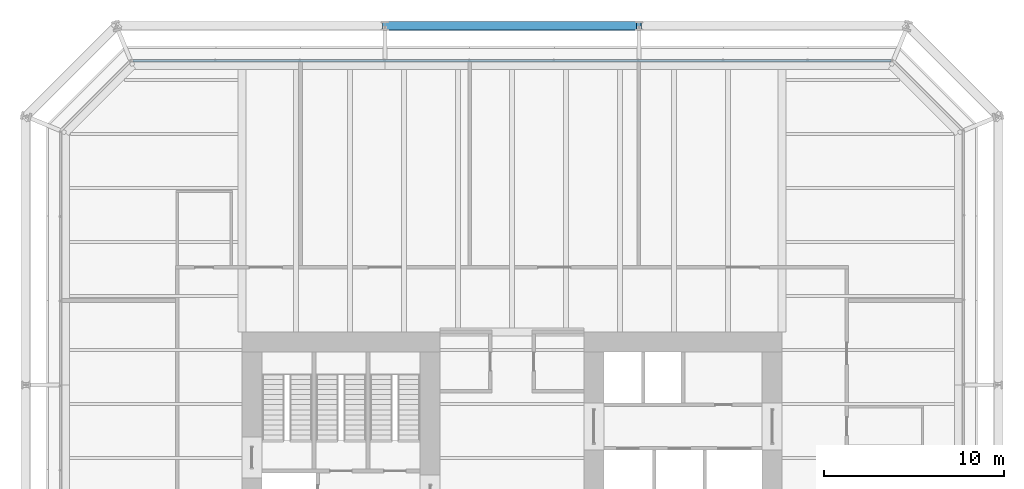
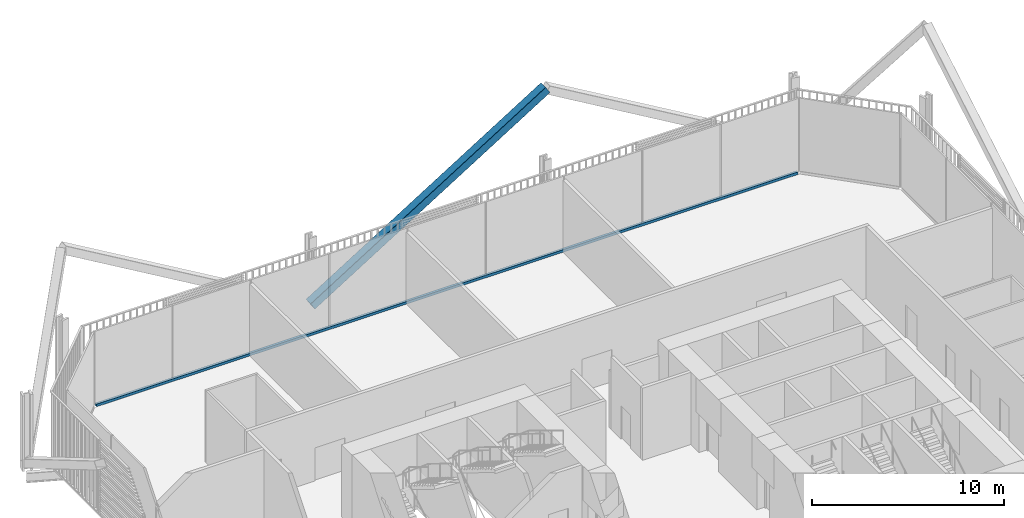
# One storey, part 15 of 22: 2 members, 1 element without a shape of its own.
"""IFC4 building model written with IfcOpenShell, lengths in metres."""

import ifcopenshell
import ifcopenshell.guid

model = None  # the IFC model being written
_history = None  # IfcOwnerHistory: only IFC2X3 demands one
_inside = {}  # id of a spatial element -> (the spatial element, [elements in it])
_under = {}  # id of a project, library or spatial element -> (it, [spatial elements below it])
_declared = {}  # id of a project -> (the project, [libraries it declares])
_typed = {}  # id of a type object -> (the type object, [elements of that type])
_made_of = {}  # id of a material, layer set ... -> (it, [elements and type objects made of it])


def new_model(schema):
    """Start an empty IFC model of exactly this schema.

    Asked for "IFC4X3", IfcOpenShell would pick the latest addendum, in which some entities
    have other attributes; the version numbers below select the first issue.
    IFC2X3 requires an IfcOwnerHistory on every rooted entity: one is made here for all.
    """
    global model, _history
    if schema == "IFC4X3":
        model = ifcopenshell.file(schema_version=(4, 3, 0, 0))
    else:
        model = ifcopenshell.file(schema=schema)
    _inside.clear()
    _under.clear()
    _declared.clear()
    _typed.clear()
    _made_of.clear()
    _history = None
    if model.schema == "IFC2X3":
        org = make("IfcOrganization", Name="unknown")
        user = make(
            "IfcPersonAndOrganization",
            ThePerson=make("IfcPerson", FamilyName="unknown"),
            TheOrganization=org,
        )
        app = make(
            "IfcApplication",
            ApplicationDeveloper=org,
            Version="unknown",
            ApplicationFullName="unknown",
            ApplicationIdentifier="unknown",
        )
        _history = make(
            "IfcOwnerHistory",
            OwningUser=user,
            OwningApplication=app,
            ChangeAction="ADDED",
            CreationDate=0,
        )
    return model


def make(cls, **values):
    """One entity of the class cls with the attributes given. An attribute that is None is left unset."""
    return model.create_entity(
        cls, **{name: value for name, value in values.items() if value is not None}
    )


def rooted(cls, **values):
    """An entity with a GlobalId (a new one), such as an element, a storey or a relation."""
    return make(cls, GlobalId=ifcopenshell.guid.new(), OwnerHistory=_history, **values)


def si_unit(unit_type, name, prefix=None):
    """IfcSIUnit, for example si_unit("LENGTHUNIT", "METRE", prefix="MILLI")."""
    return make("IfcSIUnit", UnitType=unit_type, Prefix=prefix, Name=name)


def assignment(units):
    """IfcUnitAssignment: the units of a project."""
    return None if units is None else make("IfcUnitAssignment", Units=units)


def point(xyz):
    """IfcCartesianPoint."""
    return None if xyz is None else make("IfcCartesianPoint", Coordinates=xyz)


def direction(xyz):
    """IfcDirection."""
    return None if xyz is None else make("IfcDirection", DirectionRatios=xyz)


def frame(location, z_axis=None, x_axis=None):
    """IfcAxis2Placement3D, a coordinate frame: its origin and axes. An axis left out is left unset."""
    return make(
        "IfcAxis2Placement3D",
        Location=point(location),
        Axis=direction(z_axis),
        RefDirection=direction(x_axis),
    )


def frame_2d(location, x_axis=None):
    """IfcAxis2Placement2D, a coordinate frame in the plane: its origin and x axis."""
    return make(
        "IfcAxis2Placement2D", Location=point(location), RefDirection=direction(x_axis)
    )


def origin():
    """The frame at (0, 0, 0) with its axes left unset."""
    return frame((0.0, 0.0, 0.0))


def origin_2d():
    """The frame at (0, 0) in the plane with its x axis left unset."""
    return frame_2d((0.0, 0.0))


def place(relative_to, where):
    """IfcLocalPlacement: puts the frame where relative to a parent placement (None: the world)."""
    return make(
        "IfcLocalPlacement", PlacementRelTo=relative_to, RelativePlacement=where
    )


def context(
    kind, dimensions, precision=None, world=None, true_north=None, identifier=None
):
    """IfcGeometricRepresentationContext, for example the 3D "Model" context."""
    return make(
        "IfcGeometricRepresentationContext",
        ContextIdentifier=identifier,
        ContextType=kind,
        CoordinateSpaceDimension=dimensions,
        Precision=precision,
        WorldCoordinateSystem=world,
        TrueNorth=true_north,
    )


def subcontext(parent, identifier, kind, view, scale=None):
    """IfcGeometricRepresentationSubContext, for example "Body" below "Model"."""
    return make(
        "IfcGeometricRepresentationSubContext",
        ContextIdentifier=identifier,
        ContextType=kind,
        ParentContext=parent,
        TargetScale=scale,
        TargetView=view,
    )


def project(units=None, contexts=None):
    """IfcProject with its units and contexts."""
    return rooted(
        "IfcProject",
        Name="project",
        RepresentationContexts=contexts,
        UnitsInContext=assignment(units),
    )


def spatial(cls, under=None, at=None, **own):
    """A site, building, storey or space (cls), placed at a placement, below another one or the project."""
    s = rooted(cls, ObjectPlacement=at, **own)
    if under is not None:
        _under.setdefault(under.id(), (under, []))[1].append(s)
    return s


def profile(cls, at=None, kind="AREA", **sizes):
    """A parametric profile (cls). Its sizes go by their IFC names, for example OverallWidth=200.0."""
    return make(cls, ProfileType=kind, Position=at, **sizes)


def rectangle(**sizes):
    """IfcRectangleProfileDef."""
    return profile("IfcRectangleProfileDef", **sizes)


def hollow_rectangle(**sizes):
    """IfcRectangleHollowProfileDef."""
    return profile("IfcRectangleHollowProfileDef", **sizes)


def extrude(swept, where, along, depth):
    """IfcExtrudedAreaSolid: the profile swept, set in the frame where, extruded along a direction by depth."""
    return make(
        "IfcExtrudedAreaSolid",
        SweptArea=swept,
        Position=where,
        ExtrudedDirection=direction(along),
        Depth=depth,
    )


def shape(context_of_items, identifier, shape_type, items):
    """IfcShapeRepresentation: the items that make up one representation, for example the "Body"."""
    return make(
        "IfcShapeRepresentation",
        ContextOfItems=context_of_items,
        RepresentationIdentifier=identifier,
        RepresentationType=shape_type,
        Items=items,
    )


def material(Name=None, Category=None):
    """IfcMaterial."""
    return make("IfcMaterial", Name=Name, Category=Category)


def layer(
    of_material, thickness, ventilated=None, Name=None, Category=None, Priority=None
):
    """IfcMaterialLayer: one layer of a wall or slab, of a material (None: an air gap)."""
    return make(
        "IfcMaterialLayer",
        Material=of_material,
        LayerThickness=thickness,
        IsVentilated=ventilated,
        Name=Name,
        Category=Category,
        Priority=Priority,
    )


def layer_set(layers, Name=None):
    """IfcMaterialLayerSet."""
    return make("IfcMaterialLayerSet", MaterialLayers=layers, LayerSetName=Name)


def material_profile(
    of_material, cross_section, Name=None, Category=None, Priority=None
):
    """IfcMaterialProfile: a cross section and its material."""
    return make(
        "IfcMaterialProfile",
        Name=Name,
        Material=of_material,
        Profile=cross_section,
        Priority=Priority,
        Category=Category,
    )


def profile_set(profiles, Name=None, composite=None):
    """IfcMaterialProfileSet."""
    return make(
        "IfcMaterialProfileSet",
        Name=Name,
        MaterialProfiles=profiles,
        CompositeProfile=composite,
    )


def made_of(thing, what):
    """Note that an element or type object is made of a material, layer set ...; save() writes the relation."""
    if what is not None:
        _made_of.setdefault(what.id(), (what, []))[1].append(thing)
    return thing


def type_object(cls, material=None, **own):
    """A type object (cls), such as IfcWallType, which elements share."""
    return made_of(rooted(cls, **own), material)


def element(
    cls,
    number,
    at=None,
    inside=None,
    cuts=None,
    type_object=None,
    material=None,
    context=None,
    identifier="Body",
    shape_type=None,
    held_by="IfcProductDefinitionShape",
    body=None,
    shapes=None,
    **own,
):
    """One element of the class cls, such as IfcWall. Its Tag is "e" and its number.

    at: its placement. inside: the storey or other place that contains it. cuts: it is an
    opening in that element (IfcRelVoidsElement). A single representation is given by context,
    identifier, shape_type and body (its items); several are given by shapes. held_by: the class
    of the entity that holds the representations. save() writes the other relations.
    """
    e = rooted(cls, Tag="e%d" % number, ObjectPlacement=at, **own)
    if body is not None:
        shapes = [shape(context, identifier, shape_type, body)]
    if shapes is not None:
        e.Representation = make(held_by, Representations=shapes)
    if inside is not None:
        _inside.setdefault(inside.id(), (inside, []))[1].append(e)
    if cuts is not None:
        rooted(
            "IfcRelVoidsElement", RelatingBuildingElement=cuts, RelatedOpeningElement=e
        )
    if type_object is not None:
        _typed.setdefault(type_object.id(), (type_object, []))[1].append(e)
    return made_of(e, material)


def aggregate(whole, parts):
    """IfcRelAggregates: a whole, such as a stair, and the parts it consists of."""
    return rooted("IfcRelAggregates", RelatingObject=whole, RelatedObjects=parts)


def save(model, path):
    """Write the relations noted so far, then the file.

    IfcRelAggregates (storeys below a building ...), IfcRelContainedInSpatialStructure (elements
    in a storey), IfcRelDefinesByType, IfcRelAssociatesMaterial and IfcRelDeclares: one each for
    every whole, place, type object, material and project.
    """
    for whole, parts in _under.values():
        aggregate(whole, parts)
    for where, things in _inside.values():
        rooted(
            "IfcRelContainedInSpatialStructure",
            RelatedElements=things,
            RelatingStructure=where,
        )
    for kind, things in _typed.values():
        rooted("IfcRelDefinesByType", RelatedObjects=things, RelatingType=kind)
    for what, things in _made_of.values():
        rooted("IfcRelAssociatesMaterial", RelatedObjects=things, RelatingMaterial=what)
    for by, libraries in _declared.values():
        rooted("IfcRelDeclares", RelatingContext=by, RelatedDefinitions=libraries)
    model.write(path)


model = new_model("IFC4")

# Units and contexts
model_context = context("Model", 3, precision=1e-05, world=origin(), true_north=direction((0.0, 1.0)))
body_context = subcontext(model_context, "Body", "Model", "MODEL_VIEW")
ifc_project = project(units=[si_unit("LENGTHUNIT", "METRE"), si_unit("AREAUNIT", "SQUARE_METRE"), si_unit("VOLUMEUNIT", "CUBIC_METRE"), si_unit("PLANEANGLEUNIT", "RADIAN"), si_unit("MASSUNIT", "GRAM", prefix="KILO")], contexts=[model_context])

# Site, building, storey
site_placement = place(None, origin())
site = spatial("IfcSite", under=ifc_project, at=site_placement, CompositionType="ELEMENT")
building_placement = place(site_placement, origin())
building = spatial("IfcBuilding", under=site, at=building_placement, Name="Millrace Tower", CompositionType="ELEMENT")
storey_placement = place(building_placement, frame((0.0, 0.0, 44.89990234375)))
storey = spatial("IfcBuildingStorey", under=building, at=storey_placement, Name="L10", CompositionType="ELEMENT", Elevation=44.89990234375)

# Curtain wall, member
ifc_material_1 = material(Name="Aluminium and glass", Category="aluminium")
ifc_layer = layer(ifc_material_1, 0.14990234375)
ifc_layer_set = layer_set([ifc_layer], Name="Aluminium and glass")
curtain_wall_type = type_object("IfcCurtainWallType", Name="CW-2 data hall insulated curtain wall", PredefinedType="NOTDEFINED", material=ifc_layer_set)
curtain_wall_placement = place(storey_placement, origin())
curtain_wall = element("IfcCurtainWall", 1, at=curtain_wall_placement, inside=storey, type_object=curtain_wall_type, Name="Curtain wall A-F06 L10", PredefinedType="NOTDEFINED")
ifc_material_2 = material(Name="Aluminium", Category="aluminium")
ifc_material_profile_1 = material_profile(ifc_material_2, rectangle(XDim=0.14990234375, YDim=0.159912109375, at=origin_2d()))
ifc_profile_set_1 = profile_set([ifc_material_profile_1], Name="Aluminium")
member_type_1 = type_object("IfcMemberType", Name="CW-2 data hall insulated curtain wall transom", PredefinedType="USERDEFINED", material=ifc_profile_set_1)
member_1_placement = place(storey_placement, frame((21.050048828125, 25.074951171875, 0.080078125), z_axis=(-1.0, 0.0, 0.0), x_axis=(0.0, -1.0, 0.0)))
member_1 = element("IfcMember", 2, at=member_1_placement, type_object=member_type_1, Name="CW2 transom A-F06.1", ObjectType="TRANSOM", PredefinedType="USERDEFINED", context=body_context, shape_type="SweptSolid", body=[
    extrude(rectangle(XDim=0.14990234375, YDim=0.159912109375, at=origin_2d()), origin(), (0.0, 0.0, 1.0), 42.10009765625),
])
aggregate(curtain_wall, [member_1])

# Member
ifc_material_3 = material(Name="Steel ASTM A500 Grade C", Category="steel")
ifc_material_profile_2 = material_profile(ifc_material_3, hollow_rectangle(XDim=0.508056640625, YDim=0.508056640625, WallThickness=0.01904296875, InnerFilletRadius=0.009521484375, OuterFilletRadius=0.028564453125, at=origin_2d()))
ifc_profile_set_2 = profile_set([ifc_material_profile_2], Name="Steel ASTM A500 Grade C")
member_type_2 = type_object("IfcMemberType", Name="Exoskeleton brace HSS20x20x3/4", PredefinedType="BRACE", material=ifc_profile_set_2)
member_2_placement = place(storey_placement, frame((-7.050048828125, 27.0, 0.400146484375), z_axis=(0.848336468551, 0.0, 0.529457492276), x_axis=(0.0, 1.0, 0.0)))
element("IfcMember", 3, at=member_2_placement, inside=storey, type_object=member_type_2, Name="BRC-A-L10-11", PredefinedType="BRACE", context=body_context, shape_type="SweptSolid", body=[
    extrude(hollow_rectangle(XDim=0.508056640625, YDim=0.508056640625, WallThickness=0.01904296875, InnerFilletRadius=0.009521484375, OuterFilletRadius=0.028564453125, at=origin_2d()), origin(), (0.0, 0.0, 1.0), 16.620849609375),
])

save(model, "model.ifc")
